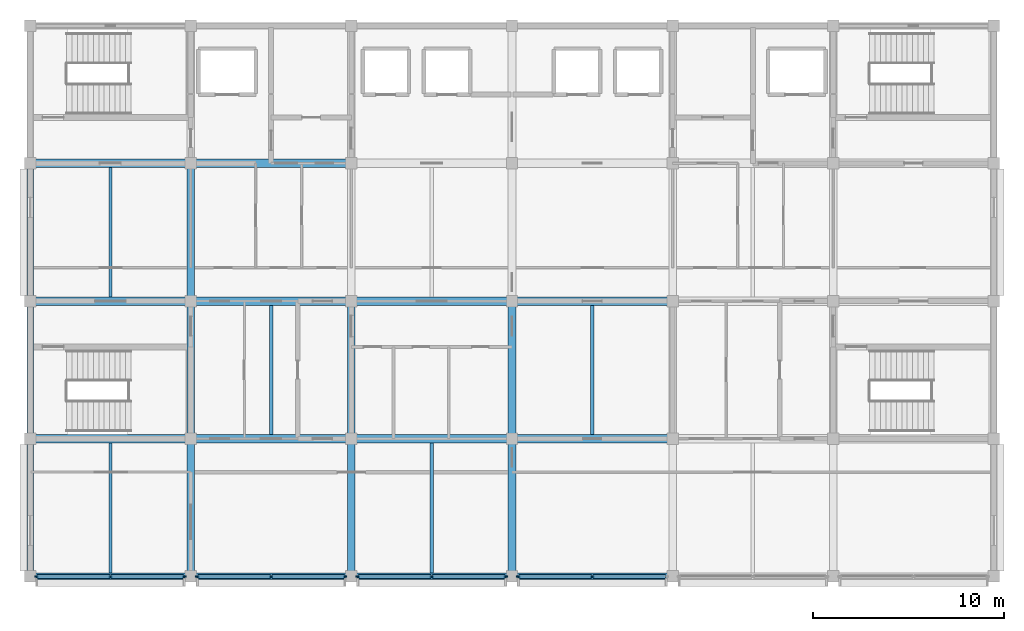
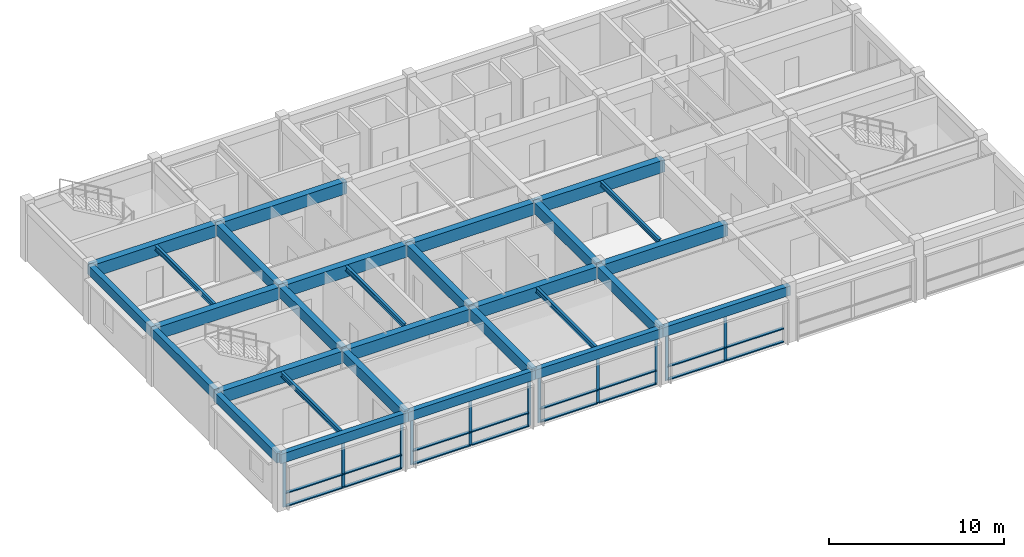
# One storey, part 2 of 13: 35 members, 29 beams, 4 elements without a shape of their own.
"""IFC4 building model written with IfcOpenShell, lengths in metres."""

from ifc_helpers import new_model, si_unit, direction, frame, origin, origin_2d, place, context, subcontext, project, spatial, rectangle, i_section, extrude, material, layer, layer_set, material_profile, profile_set, type_object, element, aggregate, save


model = new_model("IFC4")

# Units and contexts
model_context = context("Model", 3, precision=1e-05, world=origin(), true_north=direction((0.0, 1.0)))
body_context = subcontext(model_context, "Body", "Model", "MODEL_VIEW")
ifc_project = project(units=[si_unit("LENGTHUNIT", "METRE"), si_unit("AREAUNIT", "SQUARE_METRE"), si_unit("VOLUMEUNIT", "CUBIC_METRE"), si_unit("PLANEANGLEUNIT", "RADIAN"), si_unit("MASSUNIT", "GRAM", prefix="KILO")], contexts=[model_context])

# Site, building, storey
site_placement = place(None, origin())
site = spatial("IfcSite", under=ifc_project, at=site_placement, CompositionType="ELEMENT")
building_placement = place(site_placement, origin())
building = spatial("IfcBuilding", under=site, at=building_placement, Name="Chengyuan Square Courthouse", CompositionType="ELEMENT")
storey_placement = place(building_placement, frame((0.0, 0.0, 64.5)))
storey = spatial("IfcBuildingStorey", under=building, at=storey_placement, Name="L15", CompositionType="ELEMENT", Elevation=64.5)

# Beams
ifc_material_1 = material(Name="Concrete C40", Category="concrete")
ifc_material_profile_1 = material_profile(ifc_material_1, rectangle(XDim=0.449951171875, YDim=0.85009765625, at=origin_2d()), Name="RC-BM-450x850")
ifc_profile_set_1 = profile_set([ifc_material_profile_1], Name="Concrete C40")
beam_type_1 = type_object("IfcBeamType", Name="BM-01", PredefinedType="USERDEFINED", material=ifc_profile_set_1)
beam_1_placement = place(storey_placement, frame((58.800048828125, 86.39990234375, 3.425048828125), z_axis=(1.0, 0.0, 0.0), x_axis=(0.0, 1.0, 0.0)))
element("IfcBeam", 1, at=beam_1_placement, inside=storey, type_object=beam_type_1, Name="Girder BM-L15-4497", ObjectType="GIRDER", PredefinedType="USERDEFINED", context=body_context, shape_type="SweptSolid", body=[
    extrude(rectangle(XDim=0.449951171875, YDim=0.85009765625, at=origin_2d()), origin(), (0.0, 0.0, 1.0), 8.39990234375),
])
beam_2_placement = place(storey_placement, frame((67.199951171875, 86.39990234375, 3.425048828125), z_axis=(1.0, 0.0, 0.0), x_axis=(0.0, 1.0, 0.0)))
element("IfcBeam", 2, at=beam_2_placement, inside=storey, type_object=beam_type_1, Name="Girder BM-L15-4498", ObjectType="GIRDER", PredefinedType="USERDEFINED", context=body_context, shape_type="SweptSolid", body=[
    extrude(rectangle(XDim=0.449951171875, YDim=0.85009765625, at=origin_2d()), origin(), (0.0, 0.0, 1.0), 8.400146484375),
])
for number, where, z_axis, x_axis, name in (
    (3, (75.60009765625, 86.39990234375, 3.425048828125), (1.0, 0.0, 0.0), (0.0, 1.0, 0.0), "Girder BM-L15-4499"),
    (4, (84.0, 86.39990234375, 3.425048828125), (1.0, 0.0, 0.0), (0.0, 1.0, 0.0), "Girder BM-L15-4500"),
    (5, (58.800048828125, 93.60009765625, 3.52490234375), (1.0, 0.0, 0.0), (0.0, 1.0, 0.0), "Girder BM-L15-4503"),
):
    element("IfcBeam", number, at=place(storey_placement, frame(where, z_axis=z_axis, x_axis=x_axis)), inside=storey, type_object=beam_type_1, Name=name, ObjectType="GIRDER", PredefinedType="USERDEFINED", context=body_context, shape_type="SweptSolid", body=[
        extrude(rectangle(XDim=0.449951171875, YDim=0.85009765625, at=origin_2d()), origin(), (0.0, 0.0, 1.0), 8.39990234375),
    ])
beam_3_placement = place(storey_placement, frame((67.199951171875, 93.60009765625, 3.52490234375), z_axis=(1.0, 0.0, 0.0), x_axis=(0.0, 1.0, 0.0)))
element("IfcBeam", 6, at=beam_3_placement, inside=storey, type_object=beam_type_1, Name="Girder BM-L15-4504", ObjectType="GIRDER", PredefinedType="USERDEFINED", context=body_context, shape_type="SweptSolid", body=[
    extrude(rectangle(XDim=0.449951171875, YDim=0.85009765625, at=origin_2d()), origin(), (0.0, 0.0, 1.0), 8.400146484375),
])
for number, where, z_axis, x_axis, name in (
    (7, (75.60009765625, 93.60009765625, 3.52490234375), (1.0, 0.0, 0.0), (0.0, 1.0, 0.0), "Girder BM-L15-4505"),
    (8, (84.0, 93.60009765625, 3.52490234375), (1.0, 0.0, 0.0), (0.0, 1.0, 0.0), "Girder BM-L15-4506"),
    (9, (58.800048828125, 100.800048828125, 3.52490234375), (1.0, 0.0, 0.0), (0.0, 1.0, 0.0), "Girder BM-L15-4509"),
):
    element("IfcBeam", number, at=place(storey_placement, frame(where, z_axis=z_axis, x_axis=x_axis)), inside=storey, type_object=beam_type_1, Name=name, ObjectType="GIRDER", PredefinedType="USERDEFINED", context=body_context, shape_type="SweptSolid", body=[
        extrude(rectangle(XDim=0.449951171875, YDim=0.85009765625, at=origin_2d()), origin(), (0.0, 0.0, 1.0), 8.39990234375),
    ])
beam_4_placement = place(storey_placement, frame((67.199951171875, 100.800048828125, 3.52490234375), z_axis=(1.0, 0.0, 0.0), x_axis=(0.0, 1.0, 0.0)))
element("IfcBeam", 10, at=beam_4_placement, inside=storey, type_object=beam_type_1, Name="Girder BM-L15-4510", ObjectType="GIRDER", PredefinedType="USERDEFINED", context=body_context, shape_type="SweptSolid", body=[
    extrude(rectangle(XDim=0.449951171875, YDim=0.85009765625, at=origin_2d()), origin(), (0.0, 0.0, 1.0), 8.400146484375),
])
ifc_material_profile_2 = material_profile(ifc_material_1, rectangle(XDim=0.39990234375, YDim=0.75, at=origin_2d()), Name="RC-BM-400x750")
ifc_profile_set_2 = profile_set([ifc_material_profile_2], Name="Concrete C40")
beam_type_2 = type_object("IfcBeamType", Name="BM-02", PredefinedType="USERDEFINED", material=ifc_profile_set_2)
beam_5_placement = place(storey_placement, frame((67.199951171875, 79.199951171875, 3.47509765625), z_axis=(0.0, 1.0, 0.0), x_axis=(-1.0, 0.0, 0.0)))
element("IfcBeam", 11, at=beam_5_placement, inside=storey, type_object=beam_type_2, Name="Girder BM-L15-4525", ObjectType="GIRDER", PredefinedType="USERDEFINED", context=body_context, shape_type="SweptSolid", body=[
    extrude(rectangle(XDim=0.39990234375, YDim=0.75, at=origin_2d()), origin(), (0.0, 0.0, 1.0), 7.199951171875),
])
beam_6_placement = place(storey_placement, frame((67.199951171875, 86.39990234375, 3.574951171875), z_axis=(0.0, 1.0, 0.0), x_axis=(-1.0, 0.0, 0.0)))
element("IfcBeam", 12, at=beam_6_placement, inside=storey, type_object=beam_type_2, Name="Girder BM-L15-4526", ObjectType="GIRDER", PredefinedType="USERDEFINED", context=body_context, shape_type="SweptSolid", body=[
    extrude(rectangle(XDim=0.39990234375, YDim=0.75, at=origin_2d()), origin(), (0.0, 0.0, 1.0), 7.2001953125),
])
for number, where, z_axis, x_axis, name in (
    (13, (67.199951171875, 93.60009765625, 3.574951171875), (0.0, 1.0, 0.0), (-1.0, 0.0, 0.0), "Girder BM-L15-4527"),
    (14, (75.60009765625, 79.199951171875, 3.47509765625), (0.0, 1.0, 0.0), (-1.0, 0.0, 0.0), "Girder BM-L15-4529"),
):
    element("IfcBeam", number, at=place(storey_placement, frame(where, z_axis=z_axis, x_axis=x_axis)), inside=storey, type_object=beam_type_2, Name=name, ObjectType="GIRDER", PredefinedType="USERDEFINED", context=body_context, shape_type="SweptSolid", body=[
        extrude(rectangle(XDim=0.39990234375, YDim=0.75, at=origin_2d()), origin(), (0.0, 0.0, 1.0), 7.199951171875),
    ])
beam_7_placement = place(storey_placement, frame((75.60009765625, 86.39990234375, 3.574951171875), z_axis=(0.0, 1.0, 0.0), x_axis=(-1.0, 0.0, 0.0)))
element("IfcBeam", 15, at=beam_7_placement, inside=storey, type_object=beam_type_2, Name="Girder BM-L15-4530", ObjectType="GIRDER", PredefinedType="USERDEFINED", context=body_context, shape_type="SweptSolid", body=[
    extrude(rectangle(XDim=0.39990234375, YDim=0.75, at=origin_2d()), origin(), (0.0, 0.0, 1.0), 7.2001953125),
])
beam_8_placement = place(storey_placement, frame((84.0, 79.199951171875, 3.47509765625), z_axis=(0.0, 1.0, 0.0), x_axis=(-1.0, 0.0, 0.0)))
element("IfcBeam", 16, at=beam_8_placement, inside=storey, type_object=beam_type_2, Name="Girder BM-L15-4533", ObjectType="GIRDER", PredefinedType="USERDEFINED", context=body_context, shape_type="SweptSolid", body=[
    extrude(rectangle(XDim=0.39990234375, YDim=0.75, at=origin_2d()), origin(), (0.0, 0.0, 1.0), 7.199951171875),
])
beam_9_placement = place(storey_placement, frame((84.0, 86.39990234375, 3.574951171875), z_axis=(0.0, 1.0, 0.0), x_axis=(-1.0, 0.0, 0.0)))
element("IfcBeam", 17, at=beam_9_placement, inside=storey, type_object=beam_type_2, Name="Girder BM-L15-4534", ObjectType="GIRDER", PredefinedType="USERDEFINED", context=body_context, shape_type="SweptSolid", body=[
    extrude(rectangle(XDim=0.39990234375, YDim=0.75, at=origin_2d()), origin(), (0.0, 0.0, 1.0), 7.2001953125),
])
ifc_material_profile_3 = material_profile(ifc_material_1, rectangle(XDim=0.35009765625, YDim=0.64990234375, at=origin_2d()), Name="RC-BM-350x650")
ifc_profile_set_3 = profile_set([ifc_material_profile_3], Name="Concrete C40")
beam_type_3 = type_object("IfcBeamType", Name="BM-03", PredefinedType="SPANDREL", material=ifc_profile_set_3)
beam_10_placement = place(storey_placement, frame((58.800048828125, 79.199951171875, 3.52490234375), z_axis=(1.0, 0.0, 0.0), x_axis=(0.0, 1.0, 0.0)))
element("IfcBeam", 18, at=beam_10_placement, inside=storey, type_object=beam_type_3, Name="Girder BM-L15-4491", PredefinedType="SPANDREL", context=body_context, shape_type="SweptSolid", body=[
    extrude(rectangle(XDim=0.35009765625, YDim=0.64990234375, at=origin_2d()), origin(), (0.0, 0.0, 1.0), 8.39990234375),
])
beam_11_placement = place(storey_placement, frame((67.199951171875, 79.199951171875, 3.52490234375), z_axis=(1.0, 0.0, 0.0), x_axis=(0.0, 1.0, 0.0)))
element("IfcBeam", 19, at=beam_11_placement, inside=storey, type_object=beam_type_3, Name="Girder BM-L15-4492", PredefinedType="SPANDREL", context=body_context, shape_type="SweptSolid", body=[
    extrude(rectangle(XDim=0.35009765625, YDim=0.64990234375, at=origin_2d()), origin(), (0.0, 0.0, 1.0), 8.400146484375),
])
for number, where, z_axis, x_axis, name in (
    (20, (75.60009765625, 79.199951171875, 3.52490234375), (1.0, 0.0, 0.0), (0.0, 1.0, 0.0), "Girder BM-L15-4493"),
    (21, (84.0, 79.199951171875, 3.52490234375), (1.0, 0.0, 0.0), (0.0, 1.0, 0.0), "Girder BM-L15-4494"),
):
    element("IfcBeam", number, at=place(storey_placement, frame(where, z_axis=z_axis, x_axis=x_axis)), inside=storey, type_object=beam_type_3, Name=name, PredefinedType="SPANDREL", context=body_context, shape_type="SweptSolid", body=[
        extrude(rectangle(XDim=0.35009765625, YDim=0.64990234375, at=origin_2d()), origin(), (0.0, 0.0, 1.0), 8.39990234375),
    ])
beam_12_placement = place(storey_placement, frame((58.800048828125, 79.199951171875, 3.52490234375), z_axis=(0.0, 1.0, 0.0), x_axis=(-1.0, 0.0, 0.0)))
element("IfcBeam", 22, at=beam_12_placement, inside=storey, type_object=beam_type_3, Name="Girder BM-L15-4521", PredefinedType="SPANDREL", context=body_context, shape_type="SweptSolid", body=[
    extrude(rectangle(XDim=0.35009765625, YDim=0.64990234375, at=origin_2d()), origin(), (0.0, 0.0, 1.0), 7.199951171875),
])
beam_13_placement = place(storey_placement, frame((58.800048828125, 86.39990234375, 3.625), z_axis=(0.0, 1.0, 0.0), x_axis=(-1.0, 0.0, 0.0)))
element("IfcBeam", 23, at=beam_13_placement, inside=storey, type_object=beam_type_3, Name="Girder BM-L15-4522", PredefinedType="SPANDREL", context=body_context, shape_type="SweptSolid", body=[
    extrude(rectangle(XDim=0.35009765625, YDim=0.64990234375, at=origin_2d()), origin(), (0.0, 0.0, 1.0), 7.2001953125),
])
beam_14_placement = place(storey_placement, frame((58.800048828125, 93.60009765625, 3.625), z_axis=(0.0, 1.0, 0.0), x_axis=(-1.0, 0.0, 0.0)))
element("IfcBeam", 24, at=beam_14_placement, inside=storey, type_object=beam_type_3, Name="Girder BM-L15-4523", PredefinedType="SPANDREL", context=body_context, shape_type="SweptSolid", body=[
    extrude(rectangle(XDim=0.35009765625, YDim=0.64990234375, at=origin_2d()), origin(), (0.0, 0.0, 1.0), 7.199951171875),
])
ifc_material_2 = material(Name="Steel Q355B", Category="steel")
ifc_material_profile_4 = material_profile(ifc_material_2, i_section(OverallWidth=0.175048828125, OverallDepth=0.35009765625, WebThickness=0.007080078125, FlangeThickness=0.010986328125, at=origin_2d()), Name="HN 350x175x7x11")
ifc_profile_set_4 = profile_set([ifc_material_profile_4], Name="Steel Q355B")
beam_type_4 = type_object("IfcBeamType", Name="BM-08", PredefinedType="BEAM", material=ifc_profile_set_4)
beam_15_placement = place(storey_placement, frame((63.0, 79.375, 3.675048828125), z_axis=(0.0, 1.0, 0.0), x_axis=(-1.0, 0.0, 0.0)))
element("IfcBeam", 25, at=beam_15_placement, inside=storey, type_object=beam_type_4, Name="Secondary Floor Beam SBM-L15-4549", PredefinedType="BEAM", context=body_context, shape_type="SweptSolid", body=[
    extrude(i_section(OverallWidth=0.175048828125, OverallDepth=0.35009765625, WebThickness=0.007080078125, FlangeThickness=0.010986328125, at=origin_2d()), origin(), (0.0, 0.0, 1.0), 6.800048828125),
])
for number, where, z_axis, x_axis, name in (
    (26, (63.0, 93.824951171875, 3.77490234375), (0.0, 1.0, 0.0), (-1.0, 0.0, 0.0), "Secondary Floor Beam SBM-L15-4550"),
    (27, (71.39990234375, 86.625, 3.77490234375), (0.0, 1.0, 0.0), (-1.0, 0.0, 0.0), "Secondary Floor Beam SBM-L15-4551"),
):
    element("IfcBeam", number, at=place(storey_placement, frame(where, z_axis=z_axis, x_axis=x_axis)), inside=storey, type_object=beam_type_4, Name=name, PredefinedType="BEAM", context=body_context, shape_type="SweptSolid", body=[
        extrude(i_section(OverallWidth=0.175048828125, OverallDepth=0.35009765625, WebThickness=0.007080078125, FlangeThickness=0.010986328125, at=origin_2d()), origin(), (0.0, 0.0, 1.0), 6.75),
    ])
beam_16_placement = place(storey_placement, frame((79.800048828125, 79.375, 3.675048828125), z_axis=(0.0, 1.0, 0.0), x_axis=(-1.0, 0.0, 0.0)))
element("IfcBeam", 28, at=beam_16_placement, inside=storey, type_object=beam_type_4, Name="Secondary Floor Beam SBM-L15-4553", PredefinedType="BEAM", context=body_context, shape_type="SweptSolid", body=[
    extrude(i_section(OverallWidth=0.175048828125, OverallDepth=0.35009765625, WebThickness=0.007080078125, FlangeThickness=0.010986328125, at=origin_2d()), origin(), (0.0, 0.0, 1.0), 6.800048828125),
])
beam_17_placement = place(storey_placement, frame((88.199951171875, 86.625, 3.77490234375), z_axis=(0.0, 1.0, 0.0), x_axis=(-1.0, 0.0, 0.0)))
element("IfcBeam", 29, at=beam_17_placement, inside=storey, type_object=beam_type_4, Name="Secondary Floor Beam SBM-L15-4555", PredefinedType="BEAM", context=body_context, shape_type="SweptSolid", body=[
    extrude(i_section(OverallWidth=0.175048828125, OverallDepth=0.35009765625, WebThickness=0.007080078125, FlangeThickness=0.010986328125, at=origin_2d()), origin(), (0.0, 0.0, 1.0), 6.75),
])

# Curtain wall, members
ifc_material_3 = material(Name="Unitised Aluminium and Triple Low-E Glass", Category="aluminium")
ifc_layer = layer(ifc_material_3, 0.199951171875)
ifc_layer_set = layer_set([ifc_layer], Name="Unitised Aluminium and Triple Low-E Glass")
curtain_wall_type = type_object("IfcCurtainWallType", Name="CW-19", PredefinedType="USERDEFINED", material=ifc_layer_set)
curtain_wall_1_placement = place(storey_placement, origin())
curtain_wall_1 = element("IfcCurtainWall", 30, at=curtain_wall_1_placement, inside=storey, type_object=curtain_wall_type, Name="Unitised Curtain Wall CW-L15-276", ObjectType="UNITISED CURTAIN WALL", PredefinedType="USERDEFINED")
ifc_material_4 = material(Name="Aluminium 6063-T6 Frame", Category="aluminium")
ifc_material_profile_5 = material_profile(ifc_material_4, rectangle(XDim=0.070068359375, YDim=0.199951171875, at=origin_2d()), Name="CW-MUL-70x200")
ifc_profile_set_5 = profile_set([ifc_material_profile_5], Name="Aluminium 6063-T6 Frame")
member_type_1 = type_object("IfcMemberType", Name="CWM-03", PredefinedType="MULLION", material=ifc_profile_set_5)
member_1_placement = place(storey_placement, frame((59.135009765625, 79.199951171875, 0.0), z_axis=(0.0, 0.0, 1.0), x_axis=(0.0, 1.0, 0.0)))
member_1 = element("IfcMember", 31, at=member_1_placement, type_object=member_type_1, Name="CW-19 mullion 1", PredefinedType="MULLION", context=body_context, shape_type="SweptSolid", body=[
    extrude(rectangle(XDim=0.070068359375, YDim=0.199951171875, at=origin_2d()), origin(), (0.0, 0.0, 1.0), 3.199951171875),
])
member_2_placement = place(storey_placement, frame((63.0, 79.199951171875, 0.0), z_axis=(0.0, 0.0, 1.0), x_axis=(0.0, 1.0, 0.0)))
member_2 = element("IfcMember", 32, at=member_2_placement, type_object=member_type_1, Name="CW-19 mullion 2", PredefinedType="MULLION", context=body_context, shape_type="SweptSolid", body=[
    extrude(rectangle(XDim=0.070068359375, YDim=0.199951171875, at=origin_2d()), origin(), (0.0, 0.0, 1.0), 3.199951171875),
])
member_3_placement = place(storey_placement, frame((66.864990234375, 79.199951171875, 0.0), z_axis=(0.0, 0.0, 1.0), x_axis=(0.0, 1.0, 0.0)))
member_3 = element("IfcMember", 33, at=member_3_placement, type_object=member_type_1, Name="CW-19 mullion 3", PredefinedType="MULLION", context=body_context, shape_type="SweptSolid", body=[
    extrude(rectangle(XDim=0.070068359375, YDim=0.199951171875, at=origin_2d()), origin(), (0.0, 0.0, 1.0), 3.199951171875),
])

curtain_wall_2_placement = place(storey_placement, origin())
curtain_wall_2 = element("IfcCurtainWall", 34, at=curtain_wall_2_placement, inside=storey, type_object=curtain_wall_type, Name="Unitised Curtain Wall CW-L15-277", ObjectType="UNITISED CURTAIN WALL", PredefinedType="USERDEFINED")
member_4_placement = place(storey_placement, frame((67.534912109375, 79.199951171875, 0.0), z_axis=(0.0, 0.0, 1.0), x_axis=(0.0, 1.0, 0.0)))
member_4 = element("IfcMember", 35, at=member_4_placement, type_object=member_type_1, Name="CW-19 mullion 1", PredefinedType="MULLION", context=body_context, shape_type="SweptSolid", body=[
    extrude(rectangle(XDim=0.070068359375, YDim=0.199951171875, at=origin_2d()), origin(), (0.0, 0.0, 1.0), 3.199951171875),
])
member_5_placement = place(storey_placement, frame((71.39990234375, 79.199951171875, 0.0), z_axis=(0.0, 0.0, 1.0), x_axis=(0.0, 1.0, 0.0)))
member_5 = element("IfcMember", 36, at=member_5_placement, type_object=member_type_1, Name="CW-19 mullion 2", PredefinedType="MULLION", context=body_context, shape_type="SweptSolid", body=[
    extrude(rectangle(XDim=0.070068359375, YDim=0.199951171875, at=origin_2d()), origin(), (0.0, 0.0, 1.0), 3.199951171875),
])
member_6_placement = place(storey_placement, frame((75.264892578125, 79.199951171875, 0.0), z_axis=(0.0, 0.0, 1.0), x_axis=(0.0, 1.0, 0.0)))
member_6 = element("IfcMember", 37, at=member_6_placement, type_object=member_type_1, Name="CW-19 mullion 3", PredefinedType="MULLION", context=body_context, shape_type="SweptSolid", body=[
    extrude(rectangle(XDim=0.070068359375, YDim=0.199951171875, at=origin_2d()), origin(), (0.0, 0.0, 1.0), 3.199951171875),
])

curtain_wall_3_placement = place(storey_placement, origin())
curtain_wall_3 = element("IfcCurtainWall", 38, at=curtain_wall_3_placement, inside=storey, type_object=curtain_wall_type, Name="Unitised Curtain Wall CW-L15-278", ObjectType="UNITISED CURTAIN WALL", PredefinedType="USERDEFINED")
member_7_placement = place(storey_placement, frame((75.93505859375, 79.199951171875, 0.0), z_axis=(0.0, 0.0, 1.0), x_axis=(0.0, 1.0, 0.0)))
member_7 = element("IfcMember", 39, at=member_7_placement, type_object=member_type_1, Name="CW-19 mullion 1", PredefinedType="MULLION", context=body_context, shape_type="SweptSolid", body=[
    extrude(rectangle(XDim=0.070068359375, YDim=0.199951171875, at=origin_2d()), origin(), (0.0, 0.0, 1.0), 3.199951171875),
])
member_8_placement = place(storey_placement, frame((79.800048828125, 79.199951171875, 0.0), z_axis=(0.0, 0.0, 1.0), x_axis=(0.0, 1.0, 0.0)))
member_8 = element("IfcMember", 40, at=member_8_placement, type_object=member_type_1, Name="CW-19 mullion 2", PredefinedType="MULLION", context=body_context, shape_type="SweptSolid", body=[
    extrude(rectangle(XDim=0.070068359375, YDim=0.199951171875, at=origin_2d()), origin(), (0.0, 0.0, 1.0), 3.199951171875),
])
member_9_placement = place(storey_placement, frame((83.6650390625, 79.199951171875, 0.0), z_axis=(0.0, 0.0, 1.0), x_axis=(0.0, 1.0, 0.0)))
member_9 = element("IfcMember", 41, at=member_9_placement, type_object=member_type_1, Name="CW-19 mullion 3", PredefinedType="MULLION", context=body_context, shape_type="SweptSolid", body=[
    extrude(rectangle(XDim=0.070068359375, YDim=0.199951171875, at=origin_2d()), origin(), (0.0, 0.0, 1.0), 3.199951171875),
])

curtain_wall_4_placement = place(storey_placement, origin())
curtain_wall_4 = element("IfcCurtainWall", 42, at=curtain_wall_4_placement, inside=storey, type_object=curtain_wall_type, Name="Unitised Curtain Wall CW-L15-279", ObjectType="UNITISED CURTAIN WALL", PredefinedType="USERDEFINED")
member_10_placement = place(storey_placement, frame((84.3349609375, 79.199951171875, 0.0), z_axis=(0.0, 0.0, 1.0), x_axis=(0.0, 1.0, 0.0)))
member_10 = element("IfcMember", 43, at=member_10_placement, type_object=member_type_1, Name="CW-19 mullion 1", PredefinedType="MULLION", context=body_context, shape_type="SweptSolid", body=[
    extrude(rectangle(XDim=0.070068359375, YDim=0.199951171875, at=origin_2d()), origin(), (0.0, 0.0, 1.0), 3.199951171875),
])
member_11_placement = place(storey_placement, frame((88.199951171875, 79.199951171875, 0.0), z_axis=(0.0, 0.0, 1.0), x_axis=(0.0, 1.0, 0.0)))
member_11 = element("IfcMember", 44, at=member_11_placement, type_object=member_type_1, Name="CW-19 mullion 2", PredefinedType="MULLION", context=body_context, shape_type="SweptSolid", body=[
    extrude(rectangle(XDim=0.070068359375, YDim=0.199951171875, at=origin_2d()), origin(), (0.0, 0.0, 1.0), 3.199951171875),
])

# Member
ifc_material_profile_6 = material_profile(ifc_material_4, rectangle(XDim=0.199951171875, YDim=0.070068359375, at=origin_2d()), Name="CW-TRN-70x160")
ifc_profile_set_6 = profile_set([ifc_material_profile_6], Name="Aluminium 6063-T6 Frame")
member_type_2 = type_object("IfcMemberType", Name="CWT-03", PredefinedType="USERDEFINED", material=ifc_profile_set_6)
member_12_placement = place(storey_placement, frame((59.169921875, 79.199951171875, 0.034912109375), z_axis=(1.0, 0.0, 0.0), x_axis=(0.0, 1.0, 0.0)))
member_12 = element("IfcMember", 45, at=member_12_placement, type_object=member_type_2, Name="CW-19 transom 1.1", ObjectType="TRANSOM", PredefinedType="USERDEFINED", context=body_context, shape_type="SweptSolid", body=[
    extrude(rectangle(XDim=0.199951171875, YDim=0.070068359375, at=origin_2d()), origin(), (0.0, 0.0, 1.0), 3.795166015625),
])

member_13_placement = place(storey_placement, frame((59.169921875, 79.199951171875, 0.949951171875), z_axis=(1.0, 0.0, 0.0), x_axis=(0.0, 1.0, 0.0)))
member_13 = element("IfcMember", 46, at=member_13_placement, type_object=member_type_2, Name="CW-19 transom 1.2", ObjectType="TRANSOM", PredefinedType="USERDEFINED", context=body_context, shape_type="SweptSolid", body=[
    extrude(rectangle(XDim=0.199951171875, YDim=0.070068359375, at=origin_2d()), origin(), (0.0, 0.0, 1.0), 3.795166015625),
])

member_14_placement = place(storey_placement, frame((59.169921875, 79.199951171875, 3.1650390625), z_axis=(1.0, 0.0, 0.0), x_axis=(0.0, 1.0, 0.0)))
member_14 = element("IfcMember", 47, at=member_14_placement, type_object=member_type_2, Name="CW-19 transom 1.3", ObjectType="TRANSOM", PredefinedType="USERDEFINED", context=body_context, shape_type="SweptSolid", body=[
    extrude(rectangle(XDim=0.199951171875, YDim=0.070068359375, at=origin_2d()), origin(), (0.0, 0.0, 1.0), 3.795166015625),
])

member_15_placement = place(storey_placement, frame((63.034912109375, 79.199951171875, 0.034912109375), z_axis=(1.0, 0.0, 0.0), x_axis=(0.0, 1.0, 0.0)))
member_15 = element("IfcMember", 48, at=member_15_placement, type_object=member_type_2, Name="CW-19 transom 2.1", ObjectType="TRANSOM", PredefinedType="USERDEFINED", context=body_context, shape_type="SweptSolid", body=[
    extrude(rectangle(XDim=0.199951171875, YDim=0.070068359375, at=origin_2d()), origin(), (0.0, 0.0, 1.0), 3.795166015625),
])

member_16_placement = place(storey_placement, frame((63.034912109375, 79.199951171875, 0.949951171875), z_axis=(1.0, 0.0, 0.0), x_axis=(0.0, 1.0, 0.0)))
member_16 = element("IfcMember", 49, at=member_16_placement, type_object=member_type_2, Name="CW-19 transom 2.2", ObjectType="TRANSOM", PredefinedType="USERDEFINED", context=body_context, shape_type="SweptSolid", body=[
    extrude(rectangle(XDim=0.199951171875, YDim=0.070068359375, at=origin_2d()), origin(), (0.0, 0.0, 1.0), 3.795166015625),
])

member_17_placement = place(storey_placement, frame((63.034912109375, 79.199951171875, 3.1650390625), z_axis=(1.0, 0.0, 0.0), x_axis=(0.0, 1.0, 0.0)))
member_17 = element("IfcMember", 50, at=member_17_placement, type_object=member_type_2, Name="CW-19 transom 2.3", ObjectType="TRANSOM", PredefinedType="USERDEFINED", context=body_context, shape_type="SweptSolid", body=[
    extrude(rectangle(XDim=0.199951171875, YDim=0.070068359375, at=origin_2d()), origin(), (0.0, 0.0, 1.0), 3.795166015625),
])

aggregate(curtain_wall_1, [member_1, member_2, member_3, member_12, member_13, member_14, member_15, member_16, member_17])

member_18_placement = place(storey_placement, frame((67.570068359375, 79.199951171875, 0.034912109375), z_axis=(1.0, 0.0, 0.0), x_axis=(0.0, 1.0, 0.0)))
member_18 = element("IfcMember", 51, at=member_18_placement, type_object=member_type_2, Name="CW-19 transom 1.1", ObjectType="TRANSOM", PredefinedType="USERDEFINED", context=body_context, shape_type="SweptSolid", body=[
    extrude(rectangle(XDim=0.199951171875, YDim=0.070068359375, at=origin_2d()), origin(), (0.0, 0.0, 1.0), 3.794921875),
])

member_19_placement = place(storey_placement, frame((67.570068359375, 79.199951171875, 0.949951171875), z_axis=(1.0, 0.0, 0.0), x_axis=(0.0, 1.0, 0.0)))
member_19 = element("IfcMember", 52, at=member_19_placement, type_object=member_type_2, Name="CW-19 transom 1.2", ObjectType="TRANSOM", PredefinedType="USERDEFINED", context=body_context, shape_type="SweptSolid", body=[
    extrude(rectangle(XDim=0.199951171875, YDim=0.070068359375, at=origin_2d()), origin(), (0.0, 0.0, 1.0), 3.794921875),
])

member_20_placement = place(storey_placement, frame((67.570068359375, 79.199951171875, 3.1650390625), z_axis=(1.0, 0.0, 0.0), x_axis=(0.0, 1.0, 0.0)))
member_20 = element("IfcMember", 53, at=member_20_placement, type_object=member_type_2, Name="CW-19 transom 1.3", ObjectType="TRANSOM", PredefinedType="USERDEFINED", context=body_context, shape_type="SweptSolid", body=[
    extrude(rectangle(XDim=0.199951171875, YDim=0.070068359375, at=origin_2d()), origin(), (0.0, 0.0, 1.0), 3.794921875),
])

member_21_placement = place(storey_placement, frame((71.43505859375, 79.199951171875, 0.034912109375), z_axis=(1.0, 0.0, 0.0), x_axis=(0.0, 1.0, 0.0)))
member_21 = element("IfcMember", 54, at=member_21_placement, type_object=member_type_2, Name="CW-19 transom 2.1", ObjectType="TRANSOM", PredefinedType="USERDEFINED", context=body_context, shape_type="SweptSolid", body=[
    extrude(rectangle(XDim=0.199951171875, YDim=0.070068359375, at=origin_2d()), origin(), (0.0, 0.0, 1.0), 3.794921875),
])

member_22_placement = place(storey_placement, frame((71.43505859375, 79.199951171875, 0.949951171875), z_axis=(1.0, 0.0, 0.0), x_axis=(0.0, 1.0, 0.0)))
member_22 = element("IfcMember", 55, at=member_22_placement, type_object=member_type_2, Name="CW-19 transom 2.2", ObjectType="TRANSOM", PredefinedType="USERDEFINED", context=body_context, shape_type="SweptSolid", body=[
    extrude(rectangle(XDim=0.199951171875, YDim=0.070068359375, at=origin_2d()), origin(), (0.0, 0.0, 1.0), 3.794921875),
])

member_23_placement = place(storey_placement, frame((71.43505859375, 79.199951171875, 3.1650390625), z_axis=(1.0, 0.0, 0.0), x_axis=(0.0, 1.0, 0.0)))
member_23 = element("IfcMember", 56, at=member_23_placement, type_object=member_type_2, Name="CW-19 transom 2.3", ObjectType="TRANSOM", PredefinedType="USERDEFINED", context=body_context, shape_type="SweptSolid", body=[
    extrude(rectangle(XDim=0.199951171875, YDim=0.070068359375, at=origin_2d()), origin(), (0.0, 0.0, 1.0), 3.794921875),
])

aggregate(curtain_wall_2, [member_4, member_5, member_6, member_18, member_19, member_20, member_21, member_22, member_23])

member_24_placement = place(storey_placement, frame((75.969970703125, 79.199951171875, 0.034912109375), z_axis=(1.0, 0.0, 0.0), x_axis=(0.0, 1.0, 0.0)))
member_24 = element("IfcMember", 57, at=member_24_placement, type_object=member_type_2, Name="CW-19 transom 1.1", ObjectType="TRANSOM", PredefinedType="USERDEFINED", context=body_context, shape_type="SweptSolid", body=[
    extrude(rectangle(XDim=0.199951171875, YDim=0.070068359375, at=origin_2d()), origin(), (0.0, 0.0, 1.0), 3.794921875),
])

member_25_placement = place(storey_placement, frame((75.969970703125, 79.199951171875, 0.949951171875), z_axis=(1.0, 0.0, 0.0), x_axis=(0.0, 1.0, 0.0)))
member_25 = element("IfcMember", 58, at=member_25_placement, type_object=member_type_2, Name="CW-19 transom 1.2", ObjectType="TRANSOM", PredefinedType="USERDEFINED", context=body_context, shape_type="SweptSolid", body=[
    extrude(rectangle(XDim=0.199951171875, YDim=0.070068359375, at=origin_2d()), origin(), (0.0, 0.0, 1.0), 3.794921875),
])

member_26_placement = place(storey_placement, frame((75.969970703125, 79.199951171875, 3.1650390625), z_axis=(1.0, 0.0, 0.0), x_axis=(0.0, 1.0, 0.0)))
member_26 = element("IfcMember", 59, at=member_26_placement, type_object=member_type_2, Name="CW-19 transom 1.3", ObjectType="TRANSOM", PredefinedType="USERDEFINED", context=body_context, shape_type="SweptSolid", body=[
    extrude(rectangle(XDim=0.199951171875, YDim=0.070068359375, at=origin_2d()), origin(), (0.0, 0.0, 1.0), 3.794921875),
])

member_27_placement = place(storey_placement, frame((79.8349609375, 79.199951171875, 0.034912109375), z_axis=(1.0, 0.0, 0.0), x_axis=(0.0, 1.0, 0.0)))
member_27 = element("IfcMember", 60, at=member_27_placement, type_object=member_type_2, Name="CW-19 transom 2.1", ObjectType="TRANSOM", PredefinedType="USERDEFINED", context=body_context, shape_type="SweptSolid", body=[
    extrude(rectangle(XDim=0.199951171875, YDim=0.070068359375, at=origin_2d()), origin(), (0.0, 0.0, 1.0), 3.794921875),
])

member_28_placement = place(storey_placement, frame((79.8349609375, 79.199951171875, 0.949951171875), z_axis=(1.0, 0.0, 0.0), x_axis=(0.0, 1.0, 0.0)))
member_28 = element("IfcMember", 61, at=member_28_placement, type_object=member_type_2, Name="CW-19 transom 2.2", ObjectType="TRANSOM", PredefinedType="USERDEFINED", context=body_context, shape_type="SweptSolid", body=[
    extrude(rectangle(XDim=0.199951171875, YDim=0.070068359375, at=origin_2d()), origin(), (0.0, 0.0, 1.0), 3.794921875),
])

member_29_placement = place(storey_placement, frame((79.8349609375, 79.199951171875, 3.1650390625), z_axis=(1.0, 0.0, 0.0), x_axis=(0.0, 1.0, 0.0)))
member_29 = element("IfcMember", 62, at=member_29_placement, type_object=member_type_2, Name="CW-19 transom 2.3", ObjectType="TRANSOM", PredefinedType="USERDEFINED", context=body_context, shape_type="SweptSolid", body=[
    extrude(rectangle(XDim=0.199951171875, YDim=0.070068359375, at=origin_2d()), origin(), (0.0, 0.0, 1.0), 3.794921875),
])

aggregate(curtain_wall_3, [member_7, member_8, member_9, member_24, member_25, member_26, member_27, member_28, member_29])

member_30_placement = place(storey_placement, frame((84.3701171875, 79.199951171875, 0.034912109375), z_axis=(1.0, 0.0, 0.0), x_axis=(0.0, 1.0, 0.0)))
member_30 = element("IfcMember", 63, at=member_30_placement, type_object=member_type_2, Name="CW-19 transom 1.1", ObjectType="TRANSOM", PredefinedType="USERDEFINED", context=body_context, shape_type="SweptSolid", body=[
    extrude(rectangle(XDim=0.199951171875, YDim=0.070068359375, at=origin_2d()), origin(), (0.0, 0.0, 1.0), 3.794921875),
])

member_31_placement = place(storey_placement, frame((84.3701171875, 79.199951171875, 0.949951171875), z_axis=(1.0, 0.0, 0.0), x_axis=(0.0, 1.0, 0.0)))
member_31 = element("IfcMember", 64, at=member_31_placement, type_object=member_type_2, Name="CW-19 transom 1.2", ObjectType="TRANSOM", PredefinedType="USERDEFINED", context=body_context, shape_type="SweptSolid", body=[
    extrude(rectangle(XDim=0.199951171875, YDim=0.070068359375, at=origin_2d()), origin(), (0.0, 0.0, 1.0), 3.794921875),
])

member_32_placement = place(storey_placement, frame((84.3701171875, 79.199951171875, 3.1650390625), z_axis=(1.0, 0.0, 0.0), x_axis=(0.0, 1.0, 0.0)))
member_32 = element("IfcMember", 65, at=member_32_placement, type_object=member_type_2, Name="CW-19 transom 1.3", ObjectType="TRANSOM", PredefinedType="USERDEFINED", context=body_context, shape_type="SweptSolid", body=[
    extrude(rectangle(XDim=0.199951171875, YDim=0.070068359375, at=origin_2d()), origin(), (0.0, 0.0, 1.0), 3.794921875),
])

member_33_placement = place(storey_placement, frame((88.235107421875, 79.199951171875, 0.034912109375), z_axis=(1.0, 0.0, 0.0), x_axis=(0.0, 1.0, 0.0)))
member_33 = element("IfcMember", 66, at=member_33_placement, type_object=member_type_2, Name="CW-19 transom 2.1", ObjectType="TRANSOM", PredefinedType="USERDEFINED", context=body_context, shape_type="SweptSolid", body=[
    extrude(rectangle(XDim=0.199951171875, YDim=0.070068359375, at=origin_2d()), origin(), (0.0, 0.0, 1.0), 3.794921875),
])

member_34_placement = place(storey_placement, frame((88.235107421875, 79.199951171875, 0.949951171875), z_axis=(1.0, 0.0, 0.0), x_axis=(0.0, 1.0, 0.0)))
member_34 = element("IfcMember", 67, at=member_34_placement, type_object=member_type_2, Name="CW-19 transom 2.2", ObjectType="TRANSOM", PredefinedType="USERDEFINED", context=body_context, shape_type="SweptSolid", body=[
    extrude(rectangle(XDim=0.199951171875, YDim=0.070068359375, at=origin_2d()), origin(), (0.0, 0.0, 1.0), 3.794921875),
])

member_35_placement = place(storey_placement, frame((88.235107421875, 79.199951171875, 3.1650390625), z_axis=(1.0, 0.0, 0.0), x_axis=(0.0, 1.0, 0.0)))
member_35 = element("IfcMember", 68, at=member_35_placement, type_object=member_type_2, Name="CW-19 transom 2.3", ObjectType="TRANSOM", PredefinedType="USERDEFINED", context=body_context, shape_type="SweptSolid", body=[
    extrude(rectangle(XDim=0.199951171875, YDim=0.070068359375, at=origin_2d()), origin(), (0.0, 0.0, 1.0), 3.794921875),
])

aggregate(curtain_wall_4, [member_10, member_11, member_30, member_31, member_32, member_33, member_34, member_35])

save(model, "model.ifc")
